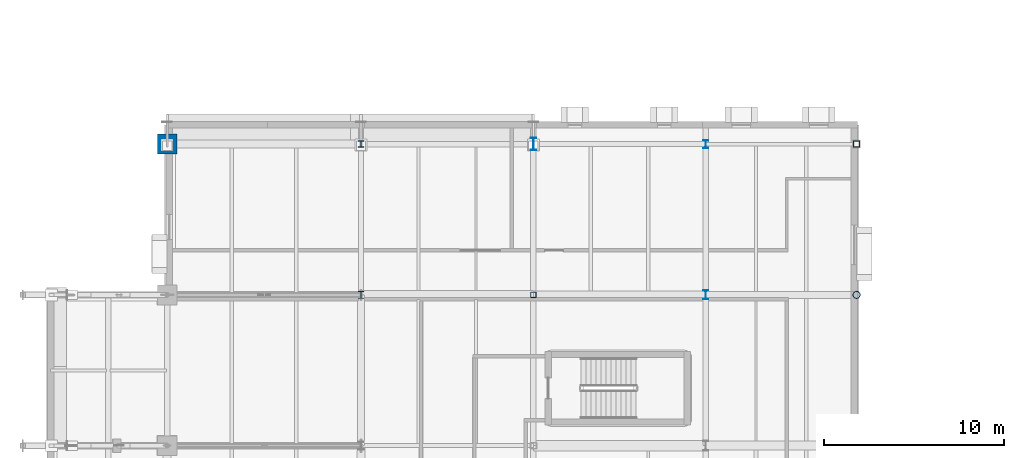
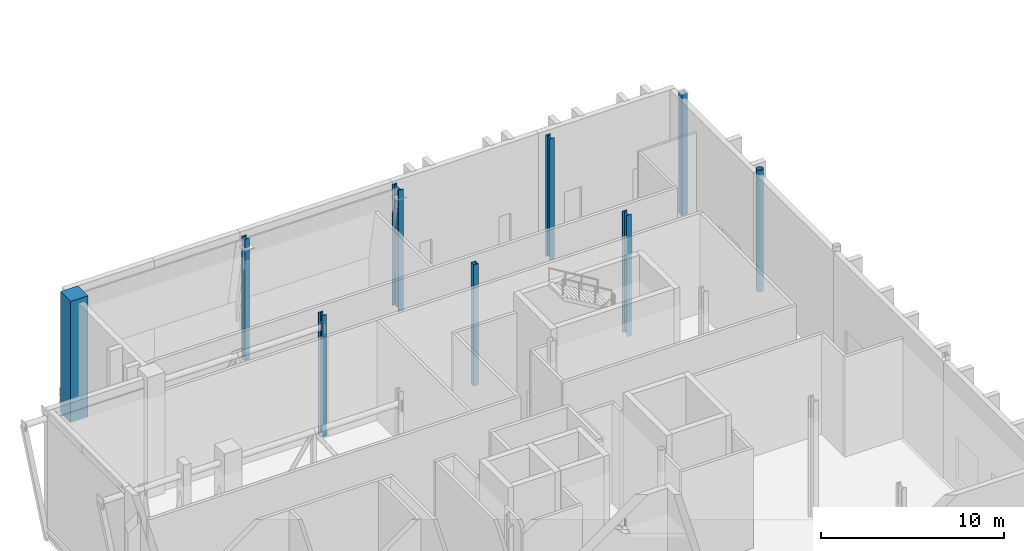
# One storey, part 3 of 79: 9 columns.
"""IFC4 building model written with IfcOpenShell, lengths in metres."""

from ifc_helpers import new_model, si_unit, direction, frame, origin, origin_2d, place, context, subcontext, project, spatial, rectangle, hollow_rectangle, hollow_circle, i_section, extrude, material, material_profile, profile_set, type_object, element, save


model = new_model("IFC4")

# Units and contexts
model_context = context("Model", 3, precision=1e-05, world=origin(), true_north=direction((0.0, 1.0)))
body_context = subcontext(model_context, "Body", "Model", "MODEL_VIEW")
ifc_project = project(units=[si_unit("LENGTHUNIT", "METRE"), si_unit("AREAUNIT", "SQUARE_METRE"), si_unit("VOLUMEUNIT", "CUBIC_METRE"), si_unit("PLANEANGLEUNIT", "RADIAN"), si_unit("MASSUNIT", "GRAM", prefix="KILO")], contexts=[model_context])

# Site, building, storey
site_placement = place(None, origin())
site = spatial("IfcSite", under=ifc_project, at=site_placement, CompositionType="ELEMENT")
building_placement = place(site_placement, origin())
building = spatial("IfcBuilding", under=site, at=building_placement, Name="Zereglee Splitstone Museum", CompositionType="ELEMENT")
storey_placement = place(building_placement, frame((0.0, 0.0, 9.0)))
storey = spatial("IfcBuildingStorey", under=building, at=storey_placement, Name="L02", CompositionType="ELEMENT", Elevation=9.0)

# Columns
ifc_material_1 = material(Name="Concrete C45/55", Category="concrete")
ifc_material_profile_1 = material_profile(ifc_material_1, rectangle(XDim=1.10009765625, YDim=1.10009765625, at=origin_2d()), Name="RC 1100x1100")
ifc_profile_set_1 = profile_set([ifc_material_profile_1], Name="Concrete C45/55")
column_type_1 = type_object("IfcColumnType", Name="C-01", PredefinedType="COLUMN", material=ifc_profile_set_1)
column_1_placement = place(storey_placement, frame((9.60009765625, 38.39990234375, 0.0), z_axis=(0.0, 0.0, 1.0), x_axis=(1.0, 0.0, 0.0)))
element("IfcColumn", 1, at=column_1_placement, inside=storey, type_object=column_type_1, Name="Column 2/E L02", PredefinedType="COLUMN", context=body_context, shape_type="SweptSolid", body=[
    extrude(rectangle(XDim=1.10009765625, YDim=1.10009765625, at=origin_2d()), origin(), (0.0, 0.0, 1.0), 8.10009765625),
])
ifc_material_2 = material(Name="Steel S355J2H", Category="steel")
ifc_material_profile_2 = material_profile(ifc_material_2, hollow_circle(Radius=0.203125, WallThickness=0.02001953125, at=origin_2d()), Name="CHS 406.4x20")
ifc_profile_set_2 = profile_set([ifc_material_profile_2], Name="Steel S355J2H")
column_type_2 = type_object("IfcColumnType", Name="C-18", PredefinedType="COLUMN", material=ifc_profile_set_2)
column_2_placement = place(storey_placement, frame((48.0, 30.0, 0.0), z_axis=(0.0, 0.0, 1.0), x_axis=(1.0, 0.0, 0.0)))
element("IfcColumn", 2, at=column_2_placement, inside=storey, type_object=column_type_2, Name="Column 7/D L02", PredefinedType="COLUMN", context=body_context, shape_type="SweptSolid", body=[
    extrude(hollow_circle(Radius=0.203125, WallThickness=0.02001953125, at=origin_2d()), origin(), (0.0, 0.0, 1.0), 8.10009765625),
])
ifc_material_3 = material(Name="Steel S355J2", Category="steel")
ifc_material_profile_3 = material_profile(ifc_material_3, i_section(OverallWidth=0.300048828125, OverallDepth=0.360107421875, WebThickness=0.012451171875, FlangeThickness=0.0224609375, FilletRadius=0.027099609375, at=origin_2d()), Name="HE 360 B")
ifc_profile_set_3 = profile_set([ifc_material_profile_3], Name="Steel S355J2")
column_type_3 = type_object("IfcColumnType", Name="C-16", PredefinedType="COLUMN", material=ifc_profile_set_3)
column_3_placement = place(storey_placement, frame((20.39990234375, 38.39990234375, 0.0), z_axis=(0.0, 0.0, 1.0), x_axis=(1.0, 0.0, 0.0)))
element("IfcColumn", 3, at=column_3_placement, inside=storey, type_object=column_type_3, Name="Column 4/E L02", PredefinedType="COLUMN", context=body_context, shape_type="SweptSolid", body=[
    extrude(i_section(OverallWidth=0.300048828125, OverallDepth=0.360107421875, WebThickness=0.012451171875, FlangeThickness=0.0224609375, FilletRadius=0.027099609375, at=origin_2d()), origin(), (0.0, 0.0, 1.0), 8.10009765625),
])
ifc_material_profile_4 = material_profile(ifc_material_3, i_section(OverallWidth=0.300048828125, OverallDepth=0.39990234375, WebThickness=0.013427734375, FlangeThickness=0.02392578125, FilletRadius=0.027099609375, at=origin_2d()), Name="HE 400 B")
ifc_profile_set_4 = profile_set([ifc_material_profile_4], Name="Steel S355J2")
column_type_4 = type_object("IfcColumnType", Name="C-15", PredefinedType="COLUMN", material=ifc_profile_set_4)
column_4_placement = place(storey_placement, frame((20.39990234375, 30.0, 0.0), z_axis=(0.0, 0.0, 1.0), x_axis=(1.0, 0.0, 0.0)))
element("IfcColumn", 4, at=column_4_placement, inside=storey, type_object=column_type_4, Name="Column 4/D L02", PredefinedType="COLUMN", context=body_context, shape_type="SweptSolid", body=[
    extrude(i_section(OverallWidth=0.300048828125, OverallDepth=0.39990234375, WebThickness=0.013427734375, FlangeThickness=0.02392578125, FilletRadius=0.027099609375, at=origin_2d()), origin(), (0.0, 0.0, 1.0), 8.10009765625),
])
ifc_material_profile_5 = material_profile(ifc_material_3, i_section(OverallWidth=0.300048828125, OverallDepth=0.449951171875, WebThickness=0.013916015625, FlangeThickness=0.02587890625, FilletRadius=0.027099609375, at=origin_2d()), Name="HE 450 B")
ifc_profile_set_5 = profile_set([ifc_material_profile_5], Name="Steel S355J2")
column_type_5 = type_object("IfcColumnType", Name="C-14", PredefinedType="COLUMN", material=ifc_profile_set_5)
column_5_placement = place(storey_placement, frame((39.60009765625, 38.39990234375, 0.0), z_axis=(0.0, 0.0, 1.0), x_axis=(1.0, 0.0, 0.0)))
element("IfcColumn", 5, at=column_5_placement, inside=storey, type_object=column_type_5, Name="Column 6/E L02", PredefinedType="COLUMN", context=body_context, shape_type="SweptSolid", body=[
    extrude(i_section(OverallWidth=0.300048828125, OverallDepth=0.449951171875, WebThickness=0.013916015625, FlangeThickness=0.02587890625, FilletRadius=0.027099609375, at=origin_2d()), origin(), (0.0, 0.0, 1.0), 8.10009765625),
])
ifc_material_profile_6 = material_profile(ifc_material_3, i_section(OverallWidth=0.300048828125, OverallDepth=0.5, WebThickness=0.014404296875, FlangeThickness=0.028076171875, FilletRadius=0.027099609375, at=origin_2d()), Name="HE 500 B")
ifc_profile_set_6 = profile_set([ifc_material_profile_6], Name="Steel S355J2")
column_type_6 = type_object("IfcColumnType", Name="C-13", PredefinedType="COLUMN", material=ifc_profile_set_6)
column_6_placement = place(storey_placement, frame((39.60009765625, 30.0, 0.0), z_axis=(0.0, 0.0, 1.0), x_axis=(1.0, 0.0, 0.0)))
element("IfcColumn", 6, at=column_6_placement, inside=storey, type_object=column_type_6, Name="Column 6/D L02", PredefinedType="COLUMN", context=body_context, shape_type="SweptSolid", body=[
    extrude(i_section(OverallWidth=0.300048828125, OverallDepth=0.5, WebThickness=0.014404296875, FlangeThickness=0.028076171875, FilletRadius=0.027099609375, at=origin_2d()), origin(), (0.0, 0.0, 1.0), 8.10009765625),
])
ifc_material_profile_7 = material_profile(ifc_material_3, i_section(OverallWidth=0.300048828125, OverallDepth=0.699951171875, WebThickness=0.01708984375, FlangeThickness=0.031982421875, FilletRadius=0.027099609375, at=origin_2d()), Name="HE 700 B")
ifc_profile_set_7 = profile_set([ifc_material_profile_7], Name="Steel S355J2")
column_type_7 = type_object("IfcColumnType", Name="C-09", PredefinedType="COLUMN", material=ifc_profile_set_7)
column_7_placement = place(storey_placement, frame((30.0, 38.39990234375, 0.0), z_axis=(0.0, 0.0, 1.0), x_axis=(1.0, 0.0, 0.0)))
element("IfcColumn", 7, at=column_7_placement, inside=storey, type_object=column_type_7, Name="Column 5/E L02", PredefinedType="COLUMN", context=body_context, shape_type="SweptSolid", body=[
    extrude(i_section(OverallWidth=0.300048828125, OverallDepth=0.699951171875, WebThickness=0.01708984375, FlangeThickness=0.031982421875, FilletRadius=0.027099609375, at=origin_2d()), origin(), (0.0, 0.0, 1.0), 8.10009765625),
])
ifc_material_profile_8 = material_profile(ifc_material_2, hollow_rectangle(XDim=0.300048828125, YDim=0.300048828125, WallThickness=0.01611328125, at=origin_2d()), Name="SHS 300x300x16")
ifc_profile_set_8 = profile_set([ifc_material_profile_8], Name="Steel S355J2H")
column_type_8 = type_object("IfcColumnType", Name="C-20", PredefinedType="COLUMN", material=ifc_profile_set_8)
column_8_placement = place(storey_placement, frame((30.0, 30.0, 0.0), z_axis=(0.0, 0.0, 1.0), x_axis=(1.0, 0.0, 0.0)))
element("IfcColumn", 8, at=column_8_placement, inside=storey, type_object=column_type_8, Name="Column 5/D L02", PredefinedType="COLUMN", context=body_context, shape_type="SweptSolid", body=[
    extrude(hollow_rectangle(XDim=0.300048828125, YDim=0.300048828125, WallThickness=0.01611328125, at=origin_2d()), origin(), (0.0, 0.0, 1.0), 8.10009765625),
])
ifc_material_profile_9 = material_profile(ifc_material_2, hollow_rectangle(XDim=0.35009765625, YDim=0.35009765625, WallThickness=0.01611328125, at=origin_2d()), Name="SHS 350x350x16")
ifc_profile_set_9 = profile_set([ifc_material_profile_9], Name="Steel S355J2H")
column_type_9 = type_object("IfcColumnType", Name="C-19", PredefinedType="COLUMN", material=ifc_profile_set_9)
column_9_placement = place(storey_placement, frame((48.0, 38.39990234375, 0.0), z_axis=(0.0, 0.0, 1.0), x_axis=(1.0, 0.0, 0.0)))
element("IfcColumn", 9, at=column_9_placement, inside=storey, type_object=column_type_9, Name="Column 7/E L02", PredefinedType="COLUMN", context=body_context, shape_type="SweptSolid", body=[
    extrude(hollow_rectangle(XDim=0.35009765625, YDim=0.35009765625, WallThickness=0.01611328125, at=origin_2d()), origin(), (0.0, 0.0, 1.0), 8.10009765625),
])

save(model, "model.ifc")
